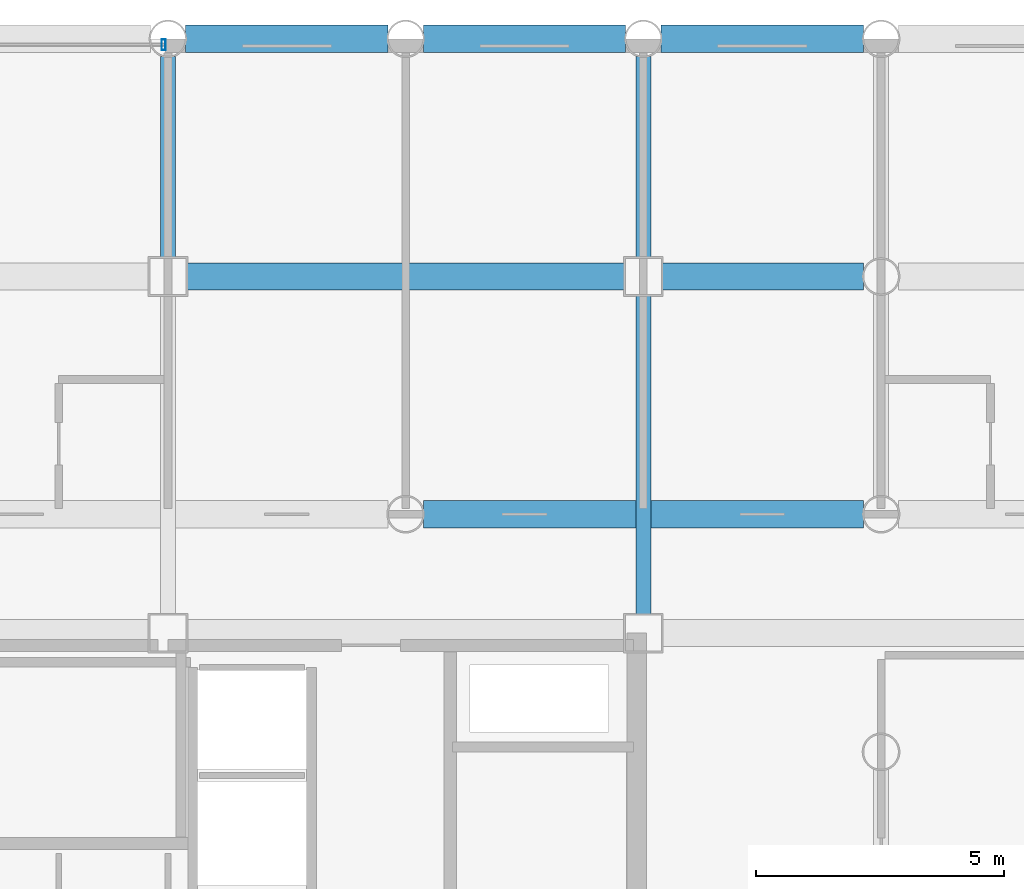
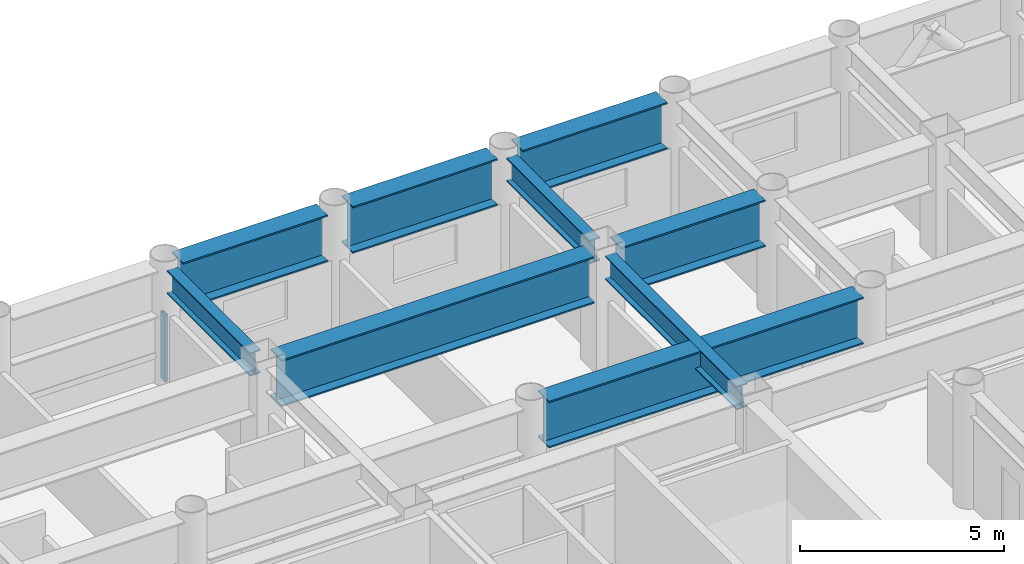
# One storey, part 12 of 21: 9 beams, 1 member, 1 element without a shape of its own.
"""IFC4 building model written with IfcOpenShell, lengths in metres."""

from ifc_helpers import new_model, si_unit, direction, frame, origin, origin_2d, place, context, subcontext, project, spatial, hollow_rectangle, i_section, extrude, material, layer, layer_set, material_profile, profile_set, type_object, element, aggregate, save


model = new_model("IFC4")

# Units and contexts
model_context = context("Model", 3, precision=1e-05, world=origin(), true_north=direction((0.0, 1.0)))
body_context = subcontext(model_context, "Body", "Model", "MODEL_VIEW")
ifc_project = project(units=[si_unit("LENGTHUNIT", "METRE"), si_unit("AREAUNIT", "SQUARE_METRE"), si_unit("VOLUMEUNIT", "CUBIC_METRE"), si_unit("PLANEANGLEUNIT", "RADIAN"), si_unit("MASSUNIT", "GRAM", prefix="KILO")], contexts=[model_context])

# Site, building, storey
site_placement = place(None, origin())
site = spatial("IfcSite", under=ifc_project, at=site_placement, CompositionType="ELEMENT")
building_placement = place(site_placement, origin())
building = spatial("IfcBuilding", under=site, at=building_placement, Name="Kallvorn Hotel Tower", CompositionType="ELEMENT")
storey_placement = place(building_placement, frame((0.0, 0.0, 85.5)))
storey = spatial("IfcBuildingStorey", under=building, at=storey_placement, Name="L20", CompositionType="ELEMENT", Elevation=85.5)

# Beams
ifc_material_1 = material(Name="Structural steel S355JR", Category="steel")
ifc_material_profile_1 = material_profile(ifc_material_1, i_section(OverallWidth=0.300048828125, OverallDepth=0.699951171875, WebThickness=0.01708984375, FlangeThickness=0.031982421875, at=origin_2d()), Name="HE 700 B")
ifc_profile_set_1 = profile_set([ifc_material_profile_1], Name="Structural steel S355JR")
beam_type_1 = type_object("IfcBeamType", Name="BM_HE700B", PredefinedType="BEAM", material=ifc_profile_set_1)
beam_1_placement = place(storey_placement, frame((4.800048828125, 14.77490234375, 3.10009765625), z_axis=(0.0, 1.0, 0.0), x_axis=(-1.0, 0.0, 0.0)))
element("IfcBeam", 1, at=beam_1_placement, inside=storey, type_object=beam_type_1, Name="L21 Primary Y-Girder 117", PredefinedType="BEAM", context=body_context, shape_type="SweptSolid", body=[
    extrude(i_section(OverallWidth=0.300048828125, OverallDepth=0.699951171875, WebThickness=0.01708984375, FlangeThickness=0.031982421875, at=origin_2d()), origin(), (0.0, 0.0, 1.0), 4.069091796875),
])
beam_2_placement = place(storey_placement, frame((14.39990234375, 7.574951171875, 3.10009765625), z_axis=(0.0, 1.0, 0.0), x_axis=(-1.0, 0.0, 0.0)))
element("IfcBeam", 2, at=beam_2_placement, inside=storey, type_object=beam_type_1, Name="L21 Primary Y-Girder 124", PredefinedType="BEAM", context=body_context, shape_type="SweptSolid", body=[
    extrude(i_section(OverallWidth=0.300048828125, OverallDepth=0.699951171875, WebThickness=0.01708984375, FlangeThickness=0.031982421875, at=origin_2d()), origin(), (0.0, 0.0, 1.0), 6.449951171875),
])
beam_3_placement = place(storey_placement, frame((14.39990234375, 14.77490234375, 3.10009765625), z_axis=(0.0, 1.0, 0.0), x_axis=(-1.0, 0.0, 0.0)))
element("IfcBeam", 3, at=beam_3_placement, inside=storey, type_object=beam_type_1, Name="L21 Primary Y-Girder 125", PredefinedType="BEAM", context=body_context, shape_type="SweptSolid", body=[
    extrude(i_section(OverallWidth=0.300048828125, OverallDepth=0.699951171875, WebThickness=0.01708984375, FlangeThickness=0.031982421875, at=origin_2d()), origin(), (0.0, 0.0, 1.0), 4.069091796875),
])
ifc_material_2 = material(Name="Structural steel S355JR", Category="steel")
ifc_material_profile_2 = material_profile(ifc_material_2, i_section(OverallWidth=0.550048828125, OverallDepth=1.39990234375, WebThickness=0.02490234375, FlangeThickness=0.044921875, at=origin_2d()), Name="PG 1400x550x25x45")
ifc_profile_set_2 = profile_set([ifc_material_profile_2], Name="Structural steel S355JR")
beam_type_2 = type_object("IfcBeamType", Name="BM_PG_1400", PredefinedType="BEAM", material=ifc_profile_set_2)
beam_4_placement = place(storey_placement, frame((9.9560546875, 9.60009765625, 2.75), z_axis=(1.0, 0.0, 0.0), x_axis=(0.0, 1.0, 0.0)))
element("IfcBeam", 4, at=beam_4_placement, inside=storey, type_object=beam_type_2, Name="L21 Primary X-Girder 47", PredefinedType="BEAM", context=body_context, shape_type="SweptSolid", body=[
    extrude(i_section(OverallWidth=0.550048828125, OverallDepth=1.39990234375, WebThickness=0.02490234375, FlangeThickness=0.044921875, at=origin_2d()), origin(), (0.0, 0.0, 1.0), 8.887939453125),
])
beam_5_placement = place(storey_placement, frame((5.175048828125, 14.39990234375, 2.75), z_axis=(1.0, 0.0, 0.0), x_axis=(0.0, 1.0, 0.0)))
element("IfcBeam", 5, at=beam_5_placement, inside=storey, type_object=beam_type_2, Name="L21 Primary X-Girder 56", PredefinedType="BEAM", context=body_context, shape_type="SweptSolid", body=[
    extrude(i_section(OverallWidth=0.550048828125, OverallDepth=1.39990234375, WebThickness=0.02490234375, FlangeThickness=0.044921875, at=origin_2d()), origin(), (0.0, 0.0, 1.0), 8.849853515625),
])
beam_6_placement = place(storey_placement, frame((14.77490234375, 14.39990234375, 2.75), z_axis=(1.0, 0.0, 0.0), x_axis=(0.0, 1.0, 0.0)))
element("IfcBeam", 6, at=beam_6_placement, inside=storey, type_object=beam_type_2, Name="L21 Primary X-Girder 57", PredefinedType="BEAM", context=body_context, shape_type="SweptSolid", body=[
    extrude(i_section(OverallWidth=0.550048828125, OverallDepth=1.39990234375, WebThickness=0.02490234375, FlangeThickness=0.044921875, at=origin_2d()), origin(), (0.0, 0.0, 1.0), 4.069091796875),
])
for number, where, z_axis, x_axis, name in (
    (7, (5.156005859375, 19.199951171875, 2.75), (1.0, 0.0, 0.0), (0.0, 1.0, 0.0), "L21 Primary X-Girder 68"),
    (8, (9.9560546875, 19.199951171875, 2.75), (1.0, 0.0, 0.0), (0.0, 1.0, 0.0), "L21 Primary X-Girder 69"),
    (9, (14.756103515625, 19.199951171875, 2.75), (1.0, 0.0, 0.0), (0.0, 1.0, 0.0), "L21 Primary X-Girder 70"),
):
    element("IfcBeam", number, at=place(storey_placement, frame(where, z_axis=z_axis, x_axis=x_axis)), inside=storey, type_object=beam_type_2, Name=name, PredefinedType="BEAM", context=body_context, shape_type="SweptSolid", body=[
        extrude(i_section(OverallWidth=0.550048828125, OverallDepth=1.39990234375, WebThickness=0.02490234375, FlangeThickness=0.044921875, at=origin_2d()), origin(), (0.0, 0.0, 1.0), 4.087890625),
    ])

# Curtain wall, member
ifc_material_3 = material(Name="Thermally broken black-anodised aluminium AA 6063-T6", Category="aluminium")
ifc_layer = layer(ifc_material_3, 0.199951171875)
ifc_layer_set = layer_set([ifc_layer], Name="CW_SYS_3_HOTEL_LOW")
curtain_wall_type = type_object("IfcCurtainWallType", Name="CW_SYS_3_HOTEL_LOW", PredefinedType="USERDEFINED", material=ifc_layer_set)
curtain_wall_placement = place(storey_placement, origin())
curtain_wall = element("IfcCurtainWall", 10, at=curtain_wall_placement, inside=storey, type_object=curtain_wall_type, Name="L20 Dark-Glass Curtain Wall CW-L20-NC", ObjectType="UNITISED CURTAIN WALL", PredefinedType="USERDEFINED")
ifc_material_4 = material(Name="Thermally broken black-anodised aluminium AA 6063-T6", Category="aluminium")
ifc_material_profile_3 = material_profile(ifc_material_4, hollow_rectangle(XDim=0.080078125, YDim=0.219970703125, WallThickness=0.0048828125, at=origin_2d()), Name="MUL 220x80")
ifc_profile_set_3 = profile_set([ifc_material_profile_3], Name="Thermally broken black-anodised aluminium AA 6063-T6")
member_type = type_object("IfcMemberType", Name="CW_MULLION_220x80", PredefinedType="MULLION", material=ifc_profile_set_3)
member_placement = place(storey_placement, frame((4.7099609375, 19.080078125, 0.02001953125), z_axis=(0.0, 0.0, 1.0), x_axis=(1.0, 0.0, 0.0)))
member = element("IfcMember", 11, at=member_placement, type_object=member_type, Name="CW-L20-NC Mullion 02", PredefinedType="MULLION", context=body_context, shape_type="SweptSolid", body=[
    extrude(hollow_rectangle(XDim=0.080078125, YDim=0.219970703125, WallThickness=0.0048828125, at=origin_2d()), origin(), (0.0, 0.0, 1.0), 2.010009765625),
])
aggregate(curtain_wall, [member])

save(model, "model.ifc")
